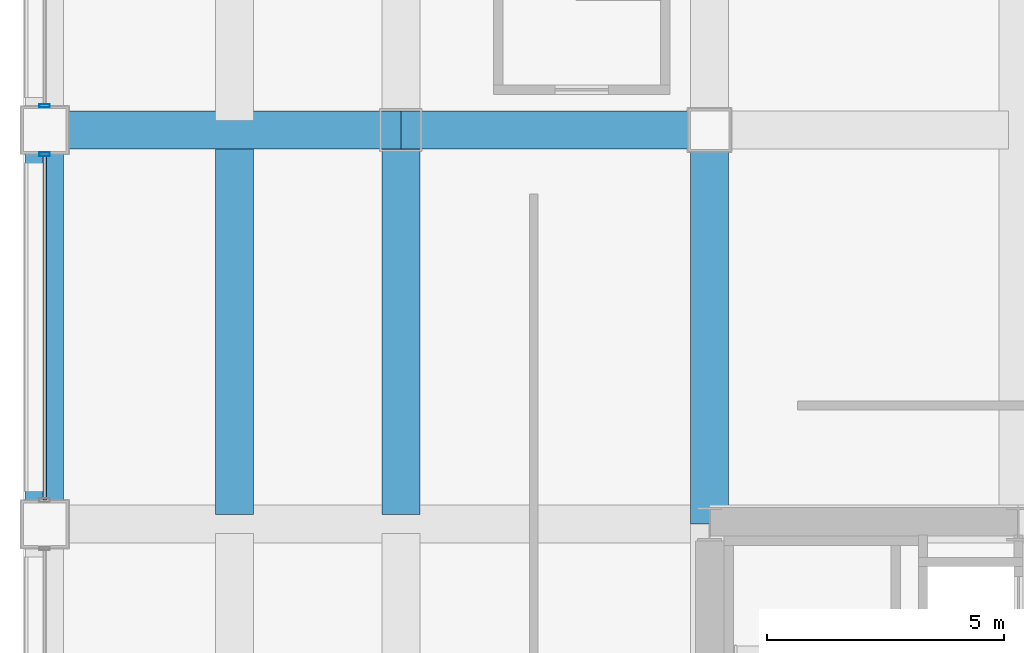
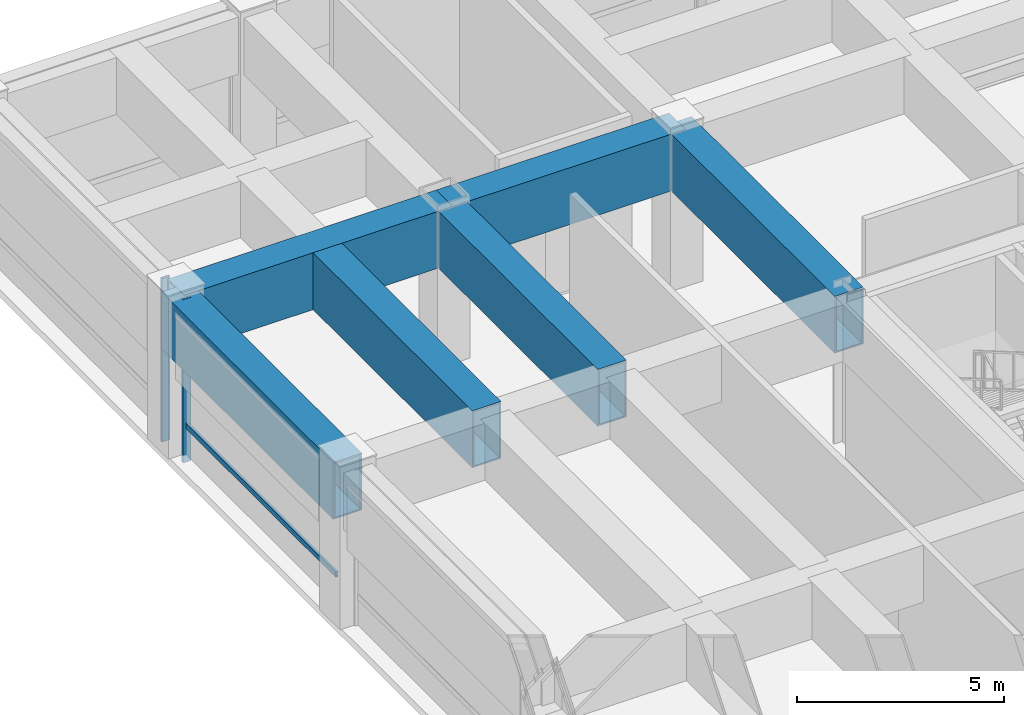
# One storey, part 15 of 30: 6 beams, 3 members, 2 elements without a shape of their own.
"""IFC4 building model written with IfcOpenShell, lengths in metres."""

import ifcopenshell
import ifcopenshell.guid

model = None  # the IFC model being written
_history = None  # IfcOwnerHistory: only IFC2X3 demands one
_inside = {}  # id of a spatial element -> (the spatial element, [elements in it])
_under = {}  # id of a project, library or spatial element -> (it, [spatial elements below it])
_declared = {}  # id of a project -> (the project, [libraries it declares])
_typed = {}  # id of a type object -> (the type object, [elements of that type])
_made_of = {}  # id of a material, layer set ... -> (it, [elements and type objects made of it])


def new_model(schema):
    """Start an empty IFC model of exactly this schema.

    Asked for "IFC4X3", IfcOpenShell would pick the latest addendum, in which some entities
    have other attributes; the version numbers below select the first issue.
    IFC2X3 requires an IfcOwnerHistory on every rooted entity: one is made here for all.
    """
    global model, _history
    if schema == "IFC4X3":
        model = ifcopenshell.file(schema_version=(4, 3, 0, 0))
    else:
        model = ifcopenshell.file(schema=schema)
    _inside.clear()
    _under.clear()
    _declared.clear()
    _typed.clear()
    _made_of.clear()
    _history = None
    if model.schema == "IFC2X3":
        org = make("IfcOrganization", Name="unknown")
        user = make(
            "IfcPersonAndOrganization",
            ThePerson=make("IfcPerson", FamilyName="unknown"),
            TheOrganization=org,
        )
        app = make(
            "IfcApplication",
            ApplicationDeveloper=org,
            Version="unknown",
            ApplicationFullName="unknown",
            ApplicationIdentifier="unknown",
        )
        _history = make(
            "IfcOwnerHistory",
            OwningUser=user,
            OwningApplication=app,
            ChangeAction="ADDED",
            CreationDate=0,
        )
    return model


def make(cls, **values):
    """One entity of the class cls with the attributes given. An attribute that is None is left unset."""
    return model.create_entity(
        cls, **{name: value for name, value in values.items() if value is not None}
    )


def rooted(cls, **values):
    """An entity with a GlobalId (a new one), such as an element, a storey or a relation."""
    return make(cls, GlobalId=ifcopenshell.guid.new(), OwnerHistory=_history, **values)


def si_unit(unit_type, name, prefix=None):
    """IfcSIUnit, for example si_unit("LENGTHUNIT", "METRE", prefix="MILLI")."""
    return make("IfcSIUnit", UnitType=unit_type, Prefix=prefix, Name=name)


def assignment(units):
    """IfcUnitAssignment: the units of a project."""
    return None if units is None else make("IfcUnitAssignment", Units=units)


def point(xyz):
    """IfcCartesianPoint."""
    return None if xyz is None else make("IfcCartesianPoint", Coordinates=xyz)


def direction(xyz):
    """IfcDirection."""
    return None if xyz is None else make("IfcDirection", DirectionRatios=xyz)


def frame(location, z_axis=None, x_axis=None):
    """IfcAxis2Placement3D, a coordinate frame: its origin and axes. An axis left out is left unset."""
    return make(
        "IfcAxis2Placement3D",
        Location=point(location),
        Axis=direction(z_axis),
        RefDirection=direction(x_axis),
    )


def frame_2d(location, x_axis=None):
    """IfcAxis2Placement2D, a coordinate frame in the plane: its origin and x axis."""
    return make(
        "IfcAxis2Placement2D", Location=point(location), RefDirection=direction(x_axis)
    )


def origin():
    """The frame at (0, 0, 0) with its axes left unset."""
    return frame((0.0, 0.0, 0.0))


def origin_2d():
    """The frame at (0, 0) in the plane with its x axis left unset."""
    return frame_2d((0.0, 0.0))


def place(relative_to, where):
    """IfcLocalPlacement: puts the frame where relative to a parent placement (None: the world)."""
    return make(
        "IfcLocalPlacement", PlacementRelTo=relative_to, RelativePlacement=where
    )


def context(
    kind, dimensions, precision=None, world=None, true_north=None, identifier=None
):
    """IfcGeometricRepresentationContext, for example the 3D "Model" context."""
    return make(
        "IfcGeometricRepresentationContext",
        ContextIdentifier=identifier,
        ContextType=kind,
        CoordinateSpaceDimension=dimensions,
        Precision=precision,
        WorldCoordinateSystem=world,
        TrueNorth=true_north,
    )


def subcontext(parent, identifier, kind, view, scale=None):
    """IfcGeometricRepresentationSubContext, for example "Body" below "Model"."""
    return make(
        "IfcGeometricRepresentationSubContext",
        ContextIdentifier=identifier,
        ContextType=kind,
        ParentContext=parent,
        TargetScale=scale,
        TargetView=view,
    )


def project(units=None, contexts=None):
    """IfcProject with its units and contexts."""
    return rooted(
        "IfcProject",
        Name="project",
        RepresentationContexts=contexts,
        UnitsInContext=assignment(units),
    )


def spatial(cls, under=None, at=None, **own):
    """A site, building, storey or space (cls), placed at a placement, below another one or the project."""
    s = rooted(cls, ObjectPlacement=at, **own)
    if under is not None:
        _under.setdefault(under.id(), (under, []))[1].append(s)
    return s


def profile(cls, at=None, kind="AREA", **sizes):
    """A parametric profile (cls). Its sizes go by their IFC names, for example OverallWidth=200.0."""
    return make(cls, ProfileType=kind, Position=at, **sizes)


def hollow_rectangle(**sizes):
    """IfcRectangleHollowProfileDef."""
    return profile("IfcRectangleHollowProfileDef", **sizes)


def extrude(swept, where, along, depth):
    """IfcExtrudedAreaSolid: the profile swept, set in the frame where, extruded along a direction by depth."""
    return make(
        "IfcExtrudedAreaSolid",
        SweptArea=swept,
        Position=where,
        ExtrudedDirection=direction(along),
        Depth=depth,
    )


def shape(context_of_items, identifier, shape_type, items):
    """IfcShapeRepresentation: the items that make up one representation, for example the "Body"."""
    return make(
        "IfcShapeRepresentation",
        ContextOfItems=context_of_items,
        RepresentationIdentifier=identifier,
        RepresentationType=shape_type,
        Items=items,
    )


def material(Name=None, Category=None):
    """IfcMaterial."""
    return make("IfcMaterial", Name=Name, Category=Category)


def layer(
    of_material, thickness, ventilated=None, Name=None, Category=None, Priority=None
):
    """IfcMaterialLayer: one layer of a wall or slab, of a material (None: an air gap)."""
    return make(
        "IfcMaterialLayer",
        Material=of_material,
        LayerThickness=thickness,
        IsVentilated=ventilated,
        Name=Name,
        Category=Category,
        Priority=Priority,
    )


def layer_set(layers, Name=None):
    """IfcMaterialLayerSet."""
    return make("IfcMaterialLayerSet", MaterialLayers=layers, LayerSetName=Name)


def material_profile(
    of_material, cross_section, Name=None, Category=None, Priority=None
):
    """IfcMaterialProfile: a cross section and its material."""
    return make(
        "IfcMaterialProfile",
        Name=Name,
        Material=of_material,
        Profile=cross_section,
        Priority=Priority,
        Category=Category,
    )


def profile_set(profiles, Name=None, composite=None):
    """IfcMaterialProfileSet."""
    return make(
        "IfcMaterialProfileSet",
        Name=Name,
        MaterialProfiles=profiles,
        CompositeProfile=composite,
    )


def made_of(thing, what):
    """Note that an element or type object is made of a material, layer set ...; save() writes the relation."""
    if what is not None:
        _made_of.setdefault(what.id(), (what, []))[1].append(thing)
    return thing


def type_object(cls, material=None, **own):
    """A type object (cls), such as IfcWallType, which elements share."""
    return made_of(rooted(cls, **own), material)


def element(
    cls,
    number,
    at=None,
    inside=None,
    cuts=None,
    type_object=None,
    material=None,
    context=None,
    identifier="Body",
    shape_type=None,
    held_by="IfcProductDefinitionShape",
    body=None,
    shapes=None,
    **own,
):
    """One element of the class cls, such as IfcWall. Its Tag is "e" and its number.

    at: its placement. inside: the storey or other place that contains it. cuts: it is an
    opening in that element (IfcRelVoidsElement). A single representation is given by context,
    identifier, shape_type and body (its items); several are given by shapes. held_by: the class
    of the entity that holds the representations. save() writes the other relations.
    """
    e = rooted(cls, Tag="e%d" % number, ObjectPlacement=at, **own)
    if body is not None:
        shapes = [shape(context, identifier, shape_type, body)]
    if shapes is not None:
        e.Representation = make(held_by, Representations=shapes)
    if inside is not None:
        _inside.setdefault(inside.id(), (inside, []))[1].append(e)
    if cuts is not None:
        rooted(
            "IfcRelVoidsElement", RelatingBuildingElement=cuts, RelatedOpeningElement=e
        )
    if type_object is not None:
        _typed.setdefault(type_object.id(), (type_object, []))[1].append(e)
    return made_of(e, material)


def aggregate(whole, parts):
    """IfcRelAggregates: a whole, such as a stair, and the parts it consists of."""
    return rooted("IfcRelAggregates", RelatingObject=whole, RelatedObjects=parts)


def save(model, path):
    """Write the relations noted so far, then the file.

    IfcRelAggregates (storeys below a building ...), IfcRelContainedInSpatialStructure (elements
    in a storey), IfcRelDefinesByType, IfcRelAssociatesMaterial and IfcRelDeclares: one each for
    every whole, place, type object, material and project.
    """
    for whole, parts in _under.values():
        aggregate(whole, parts)
    for where, things in _inside.values():
        rooted(
            "IfcRelContainedInSpatialStructure",
            RelatedElements=things,
            RelatingStructure=where,
        )
    for kind, things in _typed.values():
        rooted("IfcRelDefinesByType", RelatedObjects=things, RelatingType=kind)
    for what, things in _made_of.values():
        rooted("IfcRelAssociatesMaterial", RelatedObjects=things, RelatingMaterial=what)
    for by, libraries in _declared.values():
        rooted("IfcRelDeclares", RelatingContext=by, RelatedDefinitions=libraries)
    model.write(path)


model = new_model("IFC4")

# Units and contexts
model_context = context("Model", 3, precision=1e-05, world=origin(), true_north=direction((0.0, 1.0)))
body_context = subcontext(model_context, "Body", "Model", "MODEL_VIEW")
ifc_project = project(units=[si_unit("LENGTHUNIT", "METRE"), si_unit("AREAUNIT", "SQUARE_METRE"), si_unit("VOLUMEUNIT", "CUBIC_METRE"), si_unit("PLANEANGLEUNIT", "RADIAN"), si_unit("MASSUNIT", "GRAM", prefix="KILO")], contexts=[model_context])

# Site, building, storey
site_placement = place(None, origin())
site = spatial("IfcSite", under=ifc_project, at=site_placement, CompositionType="ELEMENT")
building_placement = place(site_placement, origin())
building = spatial("IfcBuilding", under=site, at=building_placement, Name="Brelmoor Portico Tower", CompositionType="ELEMENT")
storey_placement = place(building_placement, frame((0.0, 0.0, 19.199951171875)))
storey = spatial("IfcBuildingStorey", under=building, at=storey_placement, Name="L04", CompositionType="ELEMENT", Elevation=19.199951171875)

# Beams
ifc_material_1 = material(Name="Steel Q355B", Category="steel")
ifc_material_profile_1 = material_profile(ifc_material_1, hollow_rectangle(XDim=0.800048828125, YDim=1.679931640625, WallThickness=0.044921875, at=origin_2d()), Name="BOX 800x1680x45")
ifc_profile_set_1 = profile_set([ifc_material_profile_1], Name="Steel Q355B")
beam_type = type_object("IfcBeamType", Name="BM-TG-Z1", PredefinedType="BEAM", material=ifc_profile_set_1)
for number, where, z_axis, x_axis, name in (
    (1, (-28.550048828125, 9.75, 3.760009765625), (0.0, 1.0, 0.0), (-1.0, 0.0, 0.0), "L04 Perimeter Transfer Beam SP-19"),
    (2, (-14.550048828125, 9.75, 3.760009765625), (0.0, 1.0, 0.0), (-1.0, 0.0, 0.0), "L04 Setback Transfer Girder PG-07"),
):
    element("IfcBeam", number, at=place(storey_placement, frame(where, z_axis=z_axis, x_axis=x_axis)), inside=storey, type_object=beam_type, Name=name, PredefinedType="BEAM", context=body_context, shape_type="SweptSolid", body=[
        extrude(hollow_rectangle(XDim=0.800048828125, YDim=1.679931640625, WallThickness=0.044921875, at=origin_2d()), origin(), (0.0, 0.0, 1.0), 8.300048828125),
    ])
beam_1_placement = place(storey_placement, frame((-28.550048828125, 18.050048828125, 3.760009765625), z_axis=(1.0, 0.0, 0.0), x_axis=(0.0, 1.0, 0.0)))
element("IfcBeam", 3, at=beam_1_placement, inside=storey, type_object=beam_type, Name="L04 Setback Transfer Girder PG-40", PredefinedType="BEAM", context=body_context, shape_type="SweptSolid", body=[
    extrude(hollow_rectangle(XDim=0.800048828125, YDim=1.679931640625, WallThickness=0.044921875, at=origin_2d()), origin(), (0.0, 0.0, 1.0), 7.5),
])
beam_2_placement = place(storey_placement, frame((-21.050048828125, 18.050048828125, 3.760009765625), z_axis=(1.0, 0.0, 0.0), x_axis=(0.0, 1.0, 0.0)))
element("IfcBeam", 4, at=beam_2_placement, inside=storey, type_object=beam_type, Name="L04 Setback Transfer Girder PG-41", PredefinedType="BEAM", context=body_context, shape_type="SweptSolid", body=[
    extrude(hollow_rectangle(XDim=0.800048828125, YDim=1.679931640625, WallThickness=0.044921875, at=origin_2d()), origin(), (0.0, 0.0, 1.0), 6.5),
])
beam_3_placement = place(storey_placement, frame((-21.050048828125, 9.949951171875, 3.760009765625), z_axis=(0.0, 1.0, 0.0), x_axis=(-1.0, 0.0, 0.0)))
element("IfcBeam", 5, at=beam_3_placement, inside=storey, type_object=beam_type, Name="L04 Setback Transfer Girder TGN-31", PredefinedType="BEAM", context=body_context, shape_type="SweptSolid", body=[
    extrude(hollow_rectangle(XDim=0.800048828125, YDim=1.679931640625, WallThickness=0.044921875, at=origin_2d()), origin(), (0.0, 0.0, 1.0), 8.10009765625),
])
beam_4_placement = place(storey_placement, frame((-24.550048828125, 9.949951171875, 3.760009765625), z_axis=(0.0, 1.0, 0.0), x_axis=(-1.0, 0.0, 0.0)))
element("IfcBeam", 6, at=beam_4_placement, inside=storey, type_object=beam_type, Name="L04 Setback Transfer Girder TGN-44", PredefinedType="BEAM", context=body_context, shape_type="SweptSolid", body=[
    extrude(hollow_rectangle(XDim=0.800048828125, YDim=1.679931640625, WallThickness=0.044921875, at=origin_2d()), origin(), (0.0, 0.0, 1.0), 7.900146484375),
])

# Curtain wall, member
ifc_material_2 = material(Name="Anodised Aluminium Alloy 6063-T6", Category="aluminium")
ifc_layer = layer(ifc_material_2, 0.179931640625)
ifc_layer_set = layer_set([ifc_layer], Name="Anodised Aluminium Alloy 6063-T6")
curtain_wall_type = type_object("IfcCurtainWallType", Name="CW-PODIUM-ARCH", PredefinedType="NOTDEFINED", material=ifc_layer_set)
curtain_wall_1_placement = place(storey_placement, origin())
curtain_wall_1 = element("IfcCurtainWall", 7, at=curtain_wall_1_placement, inside=storey, type_object=curtain_wall_type, Name="L04 Curtain Wall CW-L04-03-5", PredefinedType="NOTDEFINED")
ifc_material_profile_2 = material_profile(ifc_material_2, hollow_rectangle(XDim=0.074951171875, YDim=0.219970703125, WallThickness=0.0048828125, at=origin_2d()), Name="ALU MULLION 75x220")
ifc_profile_set_2 = profile_set([ifc_material_profile_2], Name="Anodised Aluminium Alloy 6063-T6")
member_type_1 = type_object("IfcMemberType", Name="MB-CW-MULL-220", PredefinedType="MULLION", material=ifc_profile_set_2)
member_1_placement = place(storey_placement, frame((-28.550048828125, 17.5400390625, -0.219970703125), z_axis=(0.0, 0.0, 1.0), x_axis=(0.0, 1.0, 0.0)))
member_1 = element("IfcMember", 8, at=member_1_placement, type_object=member_type_1, Name="CW-L04-03-5 Mullion 01", PredefinedType="MULLION", context=body_context, shape_type="SweptSolid", body=[
    extrude(hollow_rectangle(XDim=0.074951171875, YDim=0.219970703125, WallThickness=0.0048828125, at=origin_2d()), origin(), (0.0, 0.0, 1.0), 4.820068359375),
])

curtain_wall_2_placement = place(storey_placement, origin())
curtain_wall_2 = element("IfcCurtainWall", 9, at=curtain_wall_2_placement, inside=storey, type_object=curtain_wall_type, Name="L04 Curtain Wall CW-L04-03-6", PredefinedType="NOTDEFINED")
member_2_placement = place(storey_placement, frame((-28.550048828125, 18.56005859375, -0.219970703125), z_axis=(0.0, 0.0, 1.0), x_axis=(0.0, 1.0, 0.0)))
member_2 = element("IfcMember", 10, at=member_2_placement, type_object=member_type_1, Name="CW-L04-03-6 Mullion 00", PredefinedType="MULLION", context=body_context, shape_type="SweptSolid", body=[
    extrude(hollow_rectangle(XDim=0.074951171875, YDim=0.219970703125, WallThickness=0.0048828125, at=origin_2d()), origin(), (0.0, 0.0, 1.0), 4.820068359375),
])
aggregate(curtain_wall_2, [member_2])

# Member
ifc_material_profile_3 = material_profile(ifc_material_2, hollow_rectangle(XDim=0.070068359375, YDim=0.159912109375, WallThickness=0.00390625, at=origin_2d()), Name="ALU TRANSOM 70x160")
ifc_profile_set_3 = profile_set([ifc_material_profile_3], Name="Anodised Aluminium Alloy 6063-T6")
member_type_2 = type_object("IfcMemberType", Name="MB-CW-TRAN-160", PredefinedType="USERDEFINED", material=ifc_profile_set_3)
member_3_placement = place(storey_placement, frame((-28.550048828125, 10.260009765625, 0.85009765625), z_axis=(0.0, 1.0, 0.0), x_axis=(-1.0, 0.0, 0.0)))
member_3 = element("IfcMember", 11, at=member_3_placement, type_object=member_type_2, Name="CW-L04-03-5 Transom 1-00", ObjectType="TRANSOM", PredefinedType="USERDEFINED", context=body_context, shape_type="SweptSolid", body=[
    extrude(hollow_rectangle(XDim=0.070068359375, YDim=0.159912109375, WallThickness=0.00390625, at=origin_2d()), origin(), (0.0, 0.0, 1.0), 7.280029296875),
])

aggregate(curtain_wall_1, [member_1, member_3])

save(model, "model.ifc")
